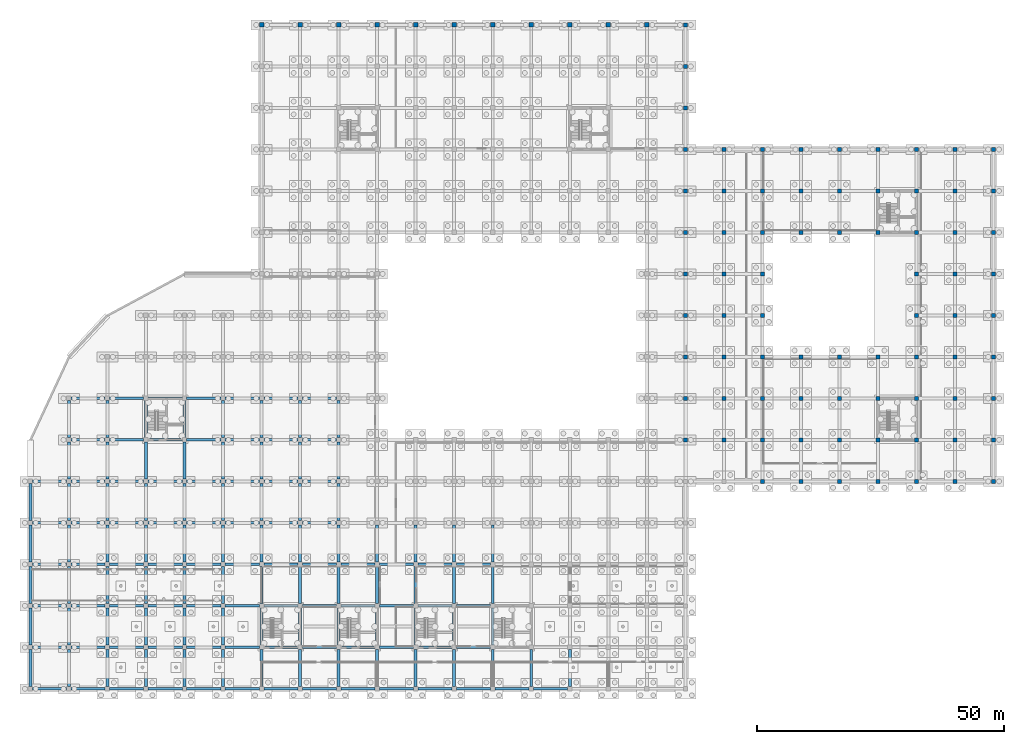
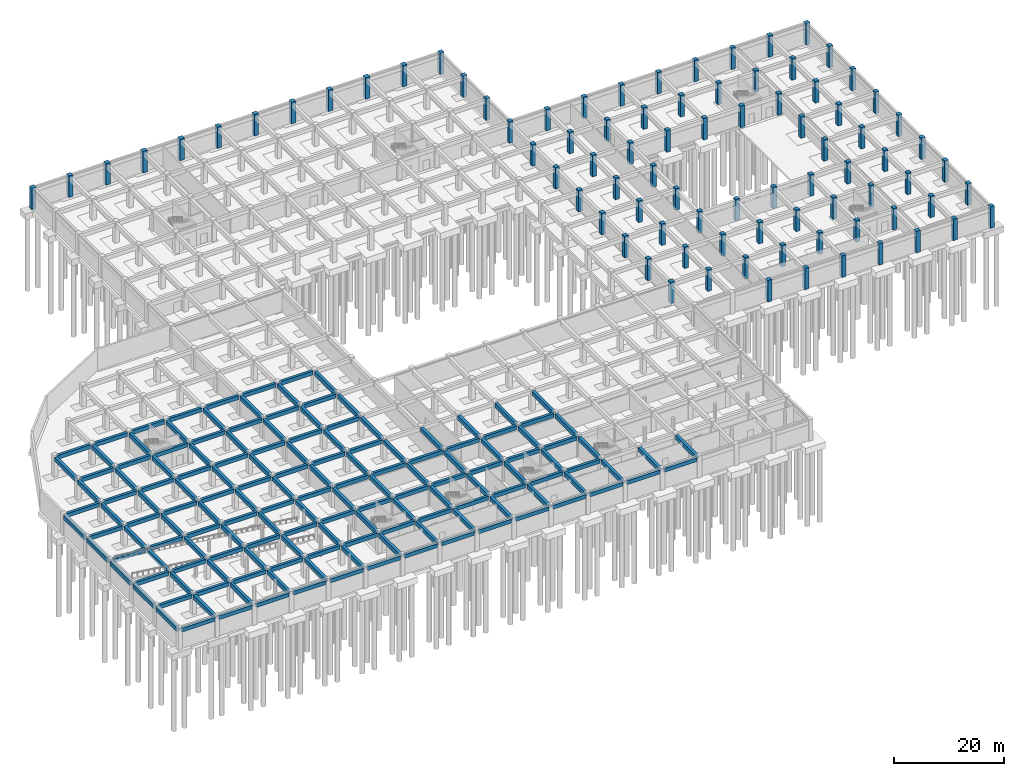
# One storey, part 13 of 31: 159 beams, 87 columns.
"""IFC4 building model written with IfcOpenShell, lengths in metres."""

from ifc_helpers import new_model, si_unit, direction, frame, origin, origin_2d, place, context, subcontext, project, spatial, rectangle, extrude, material, material_profile, profile_set, type_object, element, save


model = new_model("IFC4")

# Units and contexts
model_context = context("Model", 3, precision=1e-05, world=origin(), true_north=direction((0.0, 1.0)))
body_context = subcontext(model_context, "Body", "Model", "MODEL_VIEW")
ifc_project = project(units=[si_unit("LENGTHUNIT", "METRE"), si_unit("AREAUNIT", "SQUARE_METRE"), si_unit("VOLUMEUNIT", "CUBIC_METRE"), si_unit("PLANEANGLEUNIT", "RADIAN"), si_unit("MASSUNIT", "GRAM", prefix="KILO")], contexts=[model_context])

# Site, building, storey
site_placement = place(None, origin())
site = spatial("IfcSite", under=ifc_project, at=site_placement, CompositionType="ELEMENT")
building_placement = place(site_placement, origin())
building = spatial("IfcBuilding", under=site, at=building_placement, Name="Zizhar Promenade General Hospital", CompositionType="ELEMENT")
storey_placement = place(building_placement, frame((0.0, 0.0, -4.800048828125)))
storey = spatial("IfcBuildingStorey", under=building, at=storey_placement, Name="B1", CompositionType="ELEMENT", Elevation=-4.800048828125)

# Columns
ifc_material_1 = material(Name="Concrete C40/50", Category="concrete")
ifc_material_profile_1 = material_profile(ifc_material_1, rectangle(XDim=0.85009765625, YDim=0.85009765625, at=origin_2d()))
ifc_profile_set_1 = profile_set([ifc_material_profile_1], Name="Concrete C40/50")
column_type_1 = type_object("IfcColumnType", Name="COL-RC-850", PredefinedType="COLUMN", material=ifc_profile_set_1)
for number, where, z_axis, x_axis, name in (
    (1, (132.60009765625, 50.39990234375, 0.0), (0.0, 0.0, 1.0), (1.0, 0.0, 0.0), "Column 18-G (B1)"),
    (2, (132.60009765625, 58.800048828125, 0.0), (0.0, 0.0, 1.0), (1.0, 0.0, 0.0), "Column 18-H (B1)"),
    (3, (132.60009765625, 67.199951171875, 0.0), (0.0, 0.0, 1.0), (1.0, 0.0, 0.0), "Column 18-J (B1)"),
    (4, (132.60009765625, 75.60009765625, 0.0), (0.0, 0.0, 1.0), (1.0, 0.0, 0.0), "Column 18-K (B1)"),
    (5, (132.60009765625, 84.0, 0.0), (0.0, 0.0, 1.0), (1.0, 0.0, 0.0), "Column 18-L (B1)"),
    (6, (132.60009765625, 92.39990234375, 0.0), (0.0, 0.0, 1.0), (1.0, 0.0, 0.0), "Column 18-M (B1)"),
    (7, (132.60009765625, 100.800048828125, 0.0), (0.0, 0.0, 1.0), (1.0, 0.0, 0.0), "Column 18-N (B1)"),
    (8, (132.60009765625, 109.199951171875, 0.0), (0.0, 0.0, 1.0), (1.0, 0.0, 0.0), "Column 18-P (B1)"),
    (9, (132.60009765625, 117.60009765625, 0.0), (0.0, 0.0, 1.0), (1.0, 0.0, 0.0), "Column 18-Q (B1)"),
    (10, (132.60009765625, 126.0, 0.0), (0.0, 0.0, 1.0), (1.0, 0.0, 0.0), "Column 18-R (B1)"),
    (11, (132.60009765625, 134.39990234375, 0.0), (0.0, 0.0, 1.0), (1.0, 0.0, 0.0), "Column 18-S (B1)"),
    (12, (140.39990234375, 50.39990234375, 0.0), (0.0, 0.0, 1.0), (1.0, 0.0, 0.0), "Column 19-G (B1)"),
    (13, (140.39990234375, 58.800048828125, 0.0), (0.0, 0.0, 1.0), (1.0, 0.0, 0.0), "Column 19-H (B1)"),
    (14, (140.39990234375, 67.199951171875, 0.0), (0.0, 0.0, 1.0), (1.0, 0.0, 0.0), "Column 19-J (B1)"),
    (15, (140.39990234375, 75.60009765625, 0.0), (0.0, 0.0, 1.0), (1.0, 0.0, 0.0), "Column 19-K (B1)"),
    (16, (140.39990234375, 84.0, 0.0), (0.0, 0.0, 1.0), (1.0, 0.0, 0.0), "Column 19-L (B1)"),
    (17, (140.39990234375, 92.39990234375, 0.0), (0.0, 0.0, 1.0), (1.0, 0.0, 0.0), "Column 19-M (B1)"),
    (18, (140.39990234375, 100.800048828125, 0.0), (0.0, 0.0, 1.0), (1.0, 0.0, 0.0), "Column 19-N (B1)"),
    (19, (140.39990234375, 109.199951171875, 0.0), (0.0, 0.0, 1.0), (1.0, 0.0, 0.0), "Column 19-P (B1)"),
    (20, (148.199951171875, 42.0, 0.0), (0.0, 0.0, 1.0), (1.0, 0.0, 0.0), "Column 20-F (B1)"),
    (21, (148.199951171875, 50.39990234375, 0.0), (0.0, 0.0, 1.0), (1.0, 0.0, 0.0), "Column 20-G (B1)"),
    (22, (148.199951171875, 58.800048828125, 0.0), (0.0, 0.0, 1.0), (1.0, 0.0, 0.0), "Column 20-H (B1)"),
    (23, (148.199951171875, 67.199951171875, 0.0), (0.0, 0.0, 1.0), (1.0, 0.0, 0.0), "Column 20-J (B1)"),
    (24, (148.199951171875, 75.60009765625, 0.0), (0.0, 0.0, 1.0), (1.0, 0.0, 0.0), "Column 20-K (B1)"),
    (25, (148.199951171875, 84.0, 0.0), (0.0, 0.0, 1.0), (1.0, 0.0, 0.0), "Column 20-L (B1)"),
    (26, (148.199951171875, 92.39990234375, 0.0), (0.0, 0.0, 1.0), (1.0, 0.0, 0.0), "Column 20-M (B1)"),
    (27, (148.199951171875, 100.800048828125, 0.0), (0.0, 0.0, 1.0), (1.0, 0.0, 0.0), "Column 20-N (B1)"),
    (28, (148.199951171875, 109.199951171875, 0.0), (0.0, 0.0, 1.0), (1.0, 0.0, 0.0), "Column 20-P (B1)"),
    (29, (156.0, 42.0, 0.0), (0.0, 0.0, 1.0), (1.0, 0.0, 0.0), "Column 21-F (B1)"),
    (30, (156.0, 50.39990234375, 0.0), (0.0, 0.0, 1.0), (1.0, 0.0, 0.0), "Column 21-G (B1)"),
    (31, (156.0, 58.800048828125, 0.0), (0.0, 0.0, 1.0), (1.0, 0.0, 0.0), "Column 21-H (B1)"),
    (32, (156.0, 67.199951171875, 0.0), (0.0, 0.0, 1.0), (1.0, 0.0, 0.0), "Column 21-J (B1)"),
    (33, (156.0, 92.39990234375, 0.0), (0.0, 0.0, 1.0), (1.0, 0.0, 0.0), "Column 21-M (B1)"),
    (34, (156.0, 100.800048828125, 0.0), (0.0, 0.0, 1.0), (1.0, 0.0, 0.0), "Column 21-N (B1)"),
    (35, (156.0, 109.199951171875, 0.0), (0.0, 0.0, 1.0), (1.0, 0.0, 0.0), "Column 21-P (B1)"),
    (36, (163.800048828125, 42.0, 0.0), (0.0, 0.0, 1.0), (1.0, 0.0, 0.0), "Column 22-F (B1)"),
    (37, (163.800048828125, 50.39990234375, 0.0), (0.0, 0.0, 1.0), (1.0, 0.0, 0.0), "Column 22-G (B1)"),
    (38, (163.800048828125, 58.800048828125, 0.0), (0.0, 0.0, 1.0), (1.0, 0.0, 0.0), "Column 22-H (B1)"),
    (39, (163.800048828125, 67.199951171875, 0.0), (0.0, 0.0, 1.0), (1.0, 0.0, 0.0), "Column 22-J (B1)"),
    (40, (163.800048828125, 92.39990234375, 0.0), (0.0, 0.0, 1.0), (1.0, 0.0, 0.0), "Column 22-M (B1)"),
    (41, (163.800048828125, 100.800048828125, 0.0), (0.0, 0.0, 1.0), (1.0, 0.0, 0.0), "Column 22-N (B1)"),
    (42, (163.800048828125, 109.199951171875, 0.0), (0.0, 0.0, 1.0), (1.0, 0.0, 0.0), "Column 22-P (B1)"),
    (43, (171.60009765625, 42.0, 0.0), (0.0, 0.0, 1.0), (1.0, 0.0, 0.0), "Column 23-F (B1)"),
    (44, (171.60009765625, 50.39990234375, 0.0), (0.0, 0.0, 1.0), (1.0, 0.0, 0.0), "Column 23-G (B1)"),
    (45, (171.60009765625, 58.800048828125, 0.0), (0.0, 0.0, 1.0), (1.0, 0.0, 0.0), "Column 23-H (B1)"),
    (46, (171.60009765625, 67.199951171875, 0.0), (0.0, 0.0, 1.0), (1.0, 0.0, 0.0), "Column 23-J (B1)"),
    (47, (171.60009765625, 92.39990234375, 0.0), (0.0, 0.0, 1.0), (1.0, 0.0, 0.0), "Column 23-M (B1)"),
    (48, (171.60009765625, 100.800048828125, 0.0), (0.0, 0.0, 1.0), (1.0, 0.0, 0.0), "Column 23-N (B1)"),
    (49, (171.60009765625, 109.199951171875, 0.0), (0.0, 0.0, 1.0), (1.0, 0.0, 0.0), "Column 23-P (B1)"),
    (50, (179.39990234375, 42.0, 0.0), (0.0, 0.0, 1.0), (1.0, 0.0, 0.0), "Column 24-F (B1)"),
    (51, (179.39990234375, 50.39990234375, 0.0), (0.0, 0.0, 1.0), (1.0, 0.0, 0.0), "Column 24-G (B1)"),
    (52, (179.39990234375, 58.800048828125, 0.0), (0.0, 0.0, 1.0), (1.0, 0.0, 0.0), "Column 24-H (B1)"),
    (53, (179.39990234375, 67.199951171875, 0.0), (0.0, 0.0, 1.0), (1.0, 0.0, 0.0), "Column 24-J (B1)"),
    (54, (179.39990234375, 75.60009765625, 0.0), (0.0, 0.0, 1.0), (1.0, 0.0, 0.0), "Column 24-K (B1)"),
    (55, (179.39990234375, 84.0, 0.0), (0.0, 0.0, 1.0), (1.0, 0.0, 0.0), "Column 24-L (B1)"),
    (56, (179.39990234375, 92.39990234375, 0.0), (0.0, 0.0, 1.0), (1.0, 0.0, 0.0), "Column 24-M (B1)"),
    (57, (179.39990234375, 100.800048828125, 0.0), (0.0, 0.0, 1.0), (1.0, 0.0, 0.0), "Column 24-N (B1)"),
    (58, (179.39990234375, 109.199951171875, 0.0), (0.0, 0.0, 1.0), (1.0, 0.0, 0.0), "Column 24-P (B1)"),
    (59, (187.199951171875, 42.0, 0.0), (0.0, 0.0, 1.0), (1.0, 0.0, 0.0), "Column 25-F (B1)"),
    (60, (187.199951171875, 50.39990234375, 0.0), (0.0, 0.0, 1.0), (1.0, 0.0, 0.0), "Column 25-G (B1)"),
    (61, (187.199951171875, 58.800048828125, 0.0), (0.0, 0.0, 1.0), (1.0, 0.0, 0.0), "Column 25-H (B1)"),
    (62, (187.199951171875, 67.199951171875, 0.0), (0.0, 0.0, 1.0), (1.0, 0.0, 0.0), "Column 25-J (B1)"),
    (63, (187.199951171875, 75.60009765625, 0.0), (0.0, 0.0, 1.0), (1.0, 0.0, 0.0), "Column 25-K (B1)"),
    (64, (187.199951171875, 84.0, 0.0), (0.0, 0.0, 1.0), (1.0, 0.0, 0.0), "Column 25-L (B1)"),
    (65, (187.199951171875, 92.39990234375, 0.0), (0.0, 0.0, 1.0), (1.0, 0.0, 0.0), "Column 25-M (B1)"),
    (66, (187.199951171875, 100.800048828125, 0.0), (0.0, 0.0, 1.0), (1.0, 0.0, 0.0), "Column 25-N (B1)"),
    (67, (187.199951171875, 109.199951171875, 0.0), (0.0, 0.0, 1.0), (1.0, 0.0, 0.0), "Column 25-P (B1)"),
    (68, (195.0, 42.0, 0.0), (0.0, 0.0, 1.0), (1.0, 0.0, 0.0), "Column 26-F (B1)"),
    (69, (195.0, 50.39990234375, 0.0), (0.0, 0.0, 1.0), (1.0, 0.0, 0.0), "Column 26-G (B1)"),
    (70, (195.0, 58.800048828125, 0.0), (0.0, 0.0, 1.0), (1.0, 0.0, 0.0), "Column 26-H (B1)"),
    (71, (195.0, 67.199951171875, 0.0), (0.0, 0.0, 1.0), (1.0, 0.0, 0.0), "Column 26-J (B1)"),
    (72, (195.0, 75.60009765625, 0.0), (0.0, 0.0, 1.0), (1.0, 0.0, 0.0), "Column 26-K (B1)"),
    (73, (195.0, 84.0, 0.0), (0.0, 0.0, 1.0), (1.0, 0.0, 0.0), "Column 26-L (B1)"),
    (74, (195.0, 92.39990234375, 0.0), (0.0, 0.0, 1.0), (1.0, 0.0, 0.0), "Column 26-M (B1)"),
    (75, (195.0, 100.800048828125, 0.0), (0.0, 0.0, 1.0), (1.0, 0.0, 0.0), "Column 26-N (B1)"),
    (76, (195.0, 109.199951171875, 0.0), (0.0, 0.0, 1.0), (1.0, 0.0, 0.0), "Column 26-P (B1)"),
):
    element("IfcColumn", number, at=place(storey_placement, frame(where, z_axis=z_axis, x_axis=x_axis)), inside=storey, type_object=column_type_1, Name=name, PredefinedType="COLUMN", context=body_context, shape_type="SweptSolid", body=[
        extrude(rectangle(XDim=0.85009765625, YDim=0.85009765625, at=origin_2d()), origin(), (0.0, 0.0, 1.0), 4.800048828125),
    ])
ifc_material_2 = material(Name="Concrete C40/50", Category="concrete")
ifc_material_profile_2 = material_profile(ifc_material_2, rectangle(XDim=0.89990234375, YDim=0.89990234375, at=origin_2d()))
ifc_profile_set_2 = profile_set([ifc_material_profile_2], Name="Concrete C40/50")
column_type_2 = type_object("IfcColumnType", Name="COL-RC-900", PredefinedType="COLUMN", material=ifc_profile_set_2)
for number, where, z_axis, x_axis, name in (
    (77, (46.800048828125, 134.39990234375, 0.0), (0.0, 0.0, 1.0), (1.0, 0.0, 0.0), "Column 7-S (B1)"),
    (78, (54.60009765625, 134.39990234375, 0.0), (0.0, 0.0, 1.0), (1.0, 0.0, 0.0), "Column 8-S (B1)"),
    (79, (62.39990234375, 134.39990234375, 0.0), (0.0, 0.0, 1.0), (1.0, 0.0, 0.0), "Column 9-S (B1)"),
    (80, (70.199951171875, 134.39990234375, 0.0), (0.0, 0.0, 1.0), (1.0, 0.0, 0.0), "Column 10-S (B1)"),
    (81, (78.0, 134.39990234375, 0.0), (0.0, 0.0, 1.0), (1.0, 0.0, 0.0), "Column 11-S (B1)"),
    (82, (85.800048828125, 134.39990234375, 0.0), (0.0, 0.0, 1.0), (1.0, 0.0, 0.0), "Column 12-S (B1)"),
    (83, (93.60009765625, 134.39990234375, 0.0), (0.0, 0.0, 1.0), (1.0, 0.0, 0.0), "Column 13-S (B1)"),
    (84, (101.39990234375, 134.39990234375, 0.0), (0.0, 0.0, 1.0), (1.0, 0.0, 0.0), "Column 14-S (B1)"),
    (85, (109.199951171875, 134.39990234375, 0.0), (0.0, 0.0, 1.0), (1.0, 0.0, 0.0), "Column 15-S (B1)"),
    (86, (117.0, 134.39990234375, 0.0), (0.0, 0.0, 1.0), (1.0, 0.0, 0.0), "Column 16-S (B1)"),
    (87, (124.800048828125, 134.39990234375, 0.0), (0.0, 0.0, 1.0), (1.0, 0.0, 0.0), "Column 17-S (B1)"),
):
    element("IfcColumn", number, at=place(storey_placement, frame(where, z_axis=z_axis, x_axis=x_axis)), inside=storey, type_object=column_type_2, Name=name, PredefinedType="COLUMN", context=body_context, shape_type="SweptSolid", body=[
        extrude(rectangle(XDim=0.89990234375, YDim=0.89990234375, at=origin_2d()), origin(), (0.0, 0.0, 1.0), 4.800048828125),
    ])

# Beams
ifc_material_3 = material(Name="Concrete C35/45", Category="concrete")
ifc_material_profile_3 = material_profile(ifc_material_3, rectangle(XDim=0.550048828125, YDim=0.85009765625, at=origin_2d()))
ifc_profile_set_3 = profile_set([ifc_material_profile_3], Name="Concrete C35/45")
beam_type_1 = type_object("IfcBeamType", Name="BM-RC-550x850", PredefinedType="BEAM", material=ifc_profile_set_3)
for number, where, z_axis, x_axis, name in (
    (88, (0.449951171875, 0.0, 4.045166015625), (1.0, 0.0, 0.0), (0.0, 1.0, 0.0), "Grid Beam X B1 (0-0)"),
    (89, (0.449951171875, 8.39990234375, 4.045166015625), (1.0, 0.0, 0.0), (0.0, 1.0, 0.0), "Grid Beam X B1 (0-1)"),
    (90, (0.449951171875, 16.800048828125, 4.045166015625), (1.0, 0.0, 0.0), (0.0, 1.0, 0.0), "Grid Beam X B1 (0-2)"),
    (91, (0.449951171875, 25.199951171875, 4.045166015625), (1.0, 0.0, 0.0), (0.0, 1.0, 0.0), "Grid Beam X B1 (0-3)"),
    (92, (0.449951171875, 33.60009765625, 4.045166015625), (1.0, 0.0, 0.0), (0.0, 1.0, 0.0), "Grid Beam X B1 (0-4)"),
    (93, (0.449951171875, 42.0, 4.045166015625), (1.0, 0.0, 0.0), (0.0, 1.0, 0.0), "Grid Beam X B1 (0-5)"),
):
    element("IfcBeam", number, at=place(storey_placement, frame(where, z_axis=z_axis, x_axis=x_axis)), inside=storey, type_object=beam_type_1, Name=name, PredefinedType="BEAM", context=body_context, shape_type="SweptSolid", body=[
        extrude(rectangle(XDim=0.550048828125, YDim=0.85009765625, at=origin_2d()), origin(), (0.0, 0.0, 1.0), 6.900146484375),
    ])
for number, where, z_axis, x_axis, name in (
    (94, (8.25, 0.0, 4.045166015625), (1.0, 0.0, 0.0), (0.0, 1.0, 0.0), "Grid Beam X B1 (1-0)"),
    (95, (8.25, 8.39990234375, 4.045166015625), (1.0, 0.0, 0.0), (0.0, 1.0, 0.0), "Grid Beam X B1 (1-1)"),
    (96, (8.25, 16.800048828125, 4.045166015625), (1.0, 0.0, 0.0), (0.0, 1.0, 0.0), "Grid Beam X B1 (1-2)"),
    (97, (8.25, 25.199951171875, 4.045166015625), (1.0, 0.0, 0.0), (0.0, 1.0, 0.0), "Grid Beam X B1 (1-3)"),
    (98, (8.25, 33.60009765625, 4.045166015625), (1.0, 0.0, 0.0), (0.0, 1.0, 0.0), "Grid Beam X B1 (1-4)"),
    (99, (8.25, 42.0, 4.045166015625), (1.0, 0.0, 0.0), (0.0, 1.0, 0.0), "Grid Beam X B1 (1-5)"),
    (100, (8.25, 50.39990234375, 4.045166015625), (1.0, 0.0, 0.0), (0.0, 1.0, 0.0), "Grid Beam X B1 (1-6)"),
    (101, (8.25, 58.800048828125, 4.045166015625), (1.0, 0.0, 0.0), (0.0, 1.0, 0.0), "Grid Beam X B1 (1-7)"),
    (102, (16.050048828125, 0.0, 4.045166015625), (1.0, 0.0, 0.0), (0.0, 1.0, 0.0), "Grid Beam X B1 (2-0)"),
    (103, (16.050048828125, 8.39990234375, 4.045166015625), (1.0, 0.0, 0.0), (0.0, 1.0, 0.0), "Grid Beam X B1 (2-1)"),
    (104, (16.050048828125, 16.800048828125, 4.045166015625), (1.0, 0.0, 0.0), (0.0, 1.0, 0.0), "Grid Beam X B1 (2-2)"),
    (105, (16.050048828125, 25.199951171875, 4.045166015625), (1.0, 0.0, 0.0), (0.0, 1.0, 0.0), "Grid Beam X B1 (2-3)"),
    (106, (16.050048828125, 33.60009765625, 4.045166015625), (1.0, 0.0, 0.0), (0.0, 1.0, 0.0), "Grid Beam X B1 (2-4)"),
    (107, (16.050048828125, 42.0, 4.045166015625), (1.0, 0.0, 0.0), (0.0, 1.0, 0.0), "Grid Beam X B1 (2-5)"),
    (108, (16.050048828125, 50.39990234375, 4.045166015625), (1.0, 0.0, 0.0), (0.0, 1.0, 0.0), "Grid Beam X B1 (2-6)"),
    (109, (16.050048828125, 58.800048828125, 4.045166015625), (1.0, 0.0, 0.0), (0.0, 1.0, 0.0), "Grid Beam X B1 (2-7)"),
    (110, (23.85009765625, 0.0, 4.045166015625), (1.0, 0.0, 0.0), (0.0, 1.0, 0.0), "Grid Beam X B1 (3-0)"),
    (111, (23.85009765625, 8.39990234375, 4.045166015625), (1.0, 0.0, 0.0), (0.0, 1.0, 0.0), "Grid Beam X B1 (3-1)"),
    (112, (23.85009765625, 16.800048828125, 4.045166015625), (1.0, 0.0, 0.0), (0.0, 1.0, 0.0), "Grid Beam X B1 (3-2)"),
    (113, (23.85009765625, 25.199951171875, 4.045166015625), (1.0, 0.0, 0.0), (0.0, 1.0, 0.0), "Grid Beam X B1 (3-3)"),
    (114, (23.85009765625, 33.60009765625, 4.045166015625), (1.0, 0.0, 0.0), (0.0, 1.0, 0.0), "Grid Beam X B1 (3-4)"),
    (115, (23.85009765625, 42.0, 4.045166015625), (1.0, 0.0, 0.0), (0.0, 1.0, 0.0), "Grid Beam X B1 (3-5)"),
    (116, (23.85009765625, 50.39990234375, 4.045166015625), (1.0, 0.0, 0.0), (0.0, 1.0, 0.0), "Grid Beam X B1 (3-6)"),
    (117, (23.85009765625, 58.800048828125, 4.045166015625), (1.0, 0.0, 0.0), (0.0, 1.0, 0.0), "Grid Beam X B1 (3-7)"),
):
    element("IfcBeam", number, at=place(storey_placement, frame(where, z_axis=z_axis, x_axis=x_axis)), inside=storey, type_object=beam_type_1, Name=name, PredefinedType="BEAM", context=body_context, shape_type="SweptSolid", body=[
        extrude(rectangle(XDim=0.550048828125, YDim=0.85009765625, at=origin_2d()), origin(), (0.0, 0.0, 1.0), 6.89990234375),
    ])
for number, where, z_axis, x_axis, name in (
    (118, (31.64990234375, 0.0, 4.045166015625), (1.0, 0.0, 0.0), (0.0, 1.0, 0.0), "Grid Beam X B1 (4-0)"),
    (119, (31.64990234375, 8.39990234375, 4.045166015625), (1.0, 0.0, 0.0), (0.0, 1.0, 0.0), "Grid Beam X B1 (4-1)"),
    (120, (31.64990234375, 16.800048828125, 4.045166015625), (1.0, 0.0, 0.0), (0.0, 1.0, 0.0), "Grid Beam X B1 (4-2)"),
    (121, (31.64990234375, 25.199951171875, 4.045166015625), (1.0, 0.0, 0.0), (0.0, 1.0, 0.0), "Grid Beam X B1 (4-3)"),
    (122, (31.64990234375, 33.60009765625, 4.045166015625), (1.0, 0.0, 0.0), (0.0, 1.0, 0.0), "Grid Beam X B1 (4-4)"),
    (123, (31.64990234375, 42.0, 4.045166015625), (1.0, 0.0, 0.0), (0.0, 1.0, 0.0), "Grid Beam X B1 (4-5)"),
    (124, (31.64990234375, 50.39990234375, 4.045166015625), (1.0, 0.0, 0.0), (0.0, 1.0, 0.0), "Grid Beam X B1 (4-6)"),
    (125, (31.64990234375, 58.800048828125, 4.045166015625), (1.0, 0.0, 0.0), (0.0, 1.0, 0.0), "Grid Beam X B1 (4-7)"),
    (126, (39.449951171875, 0.0, 4.045166015625), (1.0, 0.0, 0.0), (0.0, 1.0, 0.0), "Grid Beam X B1 (5-0)"),
    (127, (39.449951171875, 8.39990234375, 4.045166015625), (1.0, 0.0, 0.0), (0.0, 1.0, 0.0), "Grid Beam X B1 (5-1)"),
    (128, (39.449951171875, 16.800048828125, 4.045166015625), (1.0, 0.0, 0.0), (0.0, 1.0, 0.0), "Grid Beam X B1 (5-2)"),
    (129, (39.449951171875, 25.199951171875, 4.045166015625), (1.0, 0.0, 0.0), (0.0, 1.0, 0.0), "Grid Beam X B1 (5-3)"),
    (130, (39.449951171875, 33.60009765625, 4.045166015625), (1.0, 0.0, 0.0), (0.0, 1.0, 0.0), "Grid Beam X B1 (5-4)"),
    (131, (39.449951171875, 42.0, 4.045166015625), (1.0, 0.0, 0.0), (0.0, 1.0, 0.0), "Grid Beam X B1 (5-5)"),
    (132, (39.449951171875, 50.39990234375, 4.045166015625), (1.0, 0.0, 0.0), (0.0, 1.0, 0.0), "Grid Beam X B1 (5-6)"),
    (133, (39.449951171875, 58.800048828125, 4.045166015625), (1.0, 0.0, 0.0), (0.0, 1.0, 0.0), "Grid Beam X B1 (5-7)"),
):
    element("IfcBeam", number, at=place(storey_placement, frame(where, z_axis=z_axis, x_axis=x_axis)), inside=storey, type_object=beam_type_1, Name=name, PredefinedType="BEAM", context=body_context, shape_type="SweptSolid", body=[
        extrude(rectangle(XDim=0.550048828125, YDim=0.85009765625, at=origin_2d()), origin(), (0.0, 0.0, 1.0), 6.900146484375),
    ])
for number, where, z_axis, x_axis, name in (
    (134, (47.25, 0.0, 4.045166015625), (1.0, 0.0, 0.0), (0.0, 1.0, 0.0), "Grid Beam X B1 (6-0)"),
    (135, (47.25, 8.39990234375, 4.045166015625), (1.0, 0.0, 0.0), (0.0, 1.0, 0.0), "Grid Beam X B1 (6-1)"),
    (136, (47.25, 16.800048828125, 4.045166015625), (1.0, 0.0, 0.0), (0.0, 1.0, 0.0), "Grid Beam X B1 (6-2)"),
    (137, (47.25, 25.199951171875, 4.045166015625), (1.0, 0.0, 0.0), (0.0, 1.0, 0.0), "Grid Beam X B1 (6-3)"),
    (138, (47.25, 33.60009765625, 4.045166015625), (1.0, 0.0, 0.0), (0.0, 1.0, 0.0), "Grid Beam X B1 (6-4)"),
    (139, (47.25, 42.0, 4.045166015625), (1.0, 0.0, 0.0), (0.0, 1.0, 0.0), "Grid Beam X B1 (6-5)"),
    (140, (47.25, 50.39990234375, 4.045166015625), (1.0, 0.0, 0.0), (0.0, 1.0, 0.0), "Grid Beam X B1 (6-6)"),
    (141, (47.25, 58.800048828125, 4.045166015625), (1.0, 0.0, 0.0), (0.0, 1.0, 0.0), "Grid Beam X B1 (6-7)"),
    (142, (55.050048828125, 0.0, 4.045166015625), (1.0, 0.0, 0.0), (0.0, 1.0, 0.0), "Grid Beam X B1 (7-0)"),
    (143, (55.050048828125, 8.39990234375, 4.045166015625), (1.0, 0.0, 0.0), (0.0, 1.0, 0.0), "Grid Beam X B1 (7-1)"),
    (144, (55.050048828125, 16.800048828125, 4.045166015625), (1.0, 0.0, 0.0), (0.0, 1.0, 0.0), "Grid Beam X B1 (7-2)"),
    (145, (55.050048828125, 25.199951171875, 4.045166015625), (1.0, 0.0, 0.0), (0.0, 1.0, 0.0), "Grid Beam X B1 (7-3)"),
    (146, (55.050048828125, 33.60009765625, 4.045166015625), (1.0, 0.0, 0.0), (0.0, 1.0, 0.0), "Grid Beam X B1 (7-4)"),
    (147, (55.050048828125, 42.0, 4.045166015625), (1.0, 0.0, 0.0), (0.0, 1.0, 0.0), "Grid Beam X B1 (7-5)"),
    (148, (55.050048828125, 50.39990234375, 4.045166015625), (1.0, 0.0, 0.0), (0.0, 1.0, 0.0), "Grid Beam X B1 (7-6)"),
    (149, (55.050048828125, 58.800048828125, 4.045166015625), (1.0, 0.0, 0.0), (0.0, 1.0, 0.0), "Grid Beam X B1 (7-7)"),
    (150, (62.85009765625, 0.0, 4.045166015625), (1.0, 0.0, 0.0), (0.0, 1.0, 0.0), "Grid Beam X B1 (8-0)"),
    (151, (62.85009765625, 8.39990234375, 4.045166015625), (1.0, 0.0, 0.0), (0.0, 1.0, 0.0), "Grid Beam X B1 (8-1)"),
    (152, (62.85009765625, 16.800048828125, 4.045166015625), (1.0, 0.0, 0.0), (0.0, 1.0, 0.0), "Grid Beam X B1 (8-2)"),
    (153, (62.85009765625, 25.199951171875, 4.045166015625), (1.0, 0.0, 0.0), (0.0, 1.0, 0.0), "Grid Beam X B1 (8-3)"),
):
    element("IfcBeam", number, at=place(storey_placement, frame(where, z_axis=z_axis, x_axis=x_axis)), inside=storey, type_object=beam_type_1, Name=name, PredefinedType="BEAM", context=body_context, shape_type="SweptSolid", body=[
        extrude(rectangle(XDim=0.550048828125, YDim=0.85009765625, at=origin_2d()), origin(), (0.0, 0.0, 1.0), 6.89990234375),
    ])
for number, where, z_axis, x_axis, name in (
    (154, (70.64990234375, 0.0, 4.045166015625), (1.0, 0.0, 0.0), (0.0, 1.0, 0.0), "Grid Beam X B1 (9-0)"),
    (155, (70.64990234375, 8.39990234375, 4.045166015625), (1.0, 0.0, 0.0), (0.0, 1.0, 0.0), "Grid Beam X B1 (9-1)"),
    (156, (70.64990234375, 16.800048828125, 4.045166015625), (1.0, 0.0, 0.0), (0.0, 1.0, 0.0), "Grid Beam X B1 (9-2)"),
    (157, (70.64990234375, 25.199951171875, 4.045166015625), (1.0, 0.0, 0.0), (0.0, 1.0, 0.0), "Grid Beam X B1 (9-3)"),
    (158, (78.449951171875, 0.0, 4.045166015625), (1.0, 0.0, 0.0), (0.0, 1.0, 0.0), "Grid Beam X B1 (10-0)"),
    (159, (78.449951171875, 8.39990234375, 4.045166015625), (1.0, 0.0, 0.0), (0.0, 1.0, 0.0), "Grid Beam X B1 (10-1)"),
    (160, (78.449951171875, 16.800048828125, 4.045166015625), (1.0, 0.0, 0.0), (0.0, 1.0, 0.0), "Grid Beam X B1 (10-2)"),
    (161, (78.449951171875, 25.199951171875, 4.045166015625), (1.0, 0.0, 0.0), (0.0, 1.0, 0.0), "Grid Beam X B1 (10-3)"),
):
    element("IfcBeam", number, at=place(storey_placement, frame(where, z_axis=z_axis, x_axis=x_axis)), inside=storey, type_object=beam_type_1, Name=name, PredefinedType="BEAM", context=body_context, shape_type="SweptSolid", body=[
        extrude(rectangle(XDim=0.550048828125, YDim=0.85009765625, at=origin_2d()), origin(), (0.0, 0.0, 1.0), 6.900146484375),
    ])
for number, where, z_axis, x_axis, name in (
    (162, (86.25, 0.0, 4.045166015625), (1.0, 0.0, 0.0), (0.0, 1.0, 0.0), "Grid Beam X B1 (11-0)"),
    (163, (86.25, 8.39990234375, 4.045166015625), (1.0, 0.0, 0.0), (0.0, 1.0, 0.0), "Grid Beam X B1 (11-1)"),
    (164, (86.25, 16.800048828125, 4.045166015625), (1.0, 0.0, 0.0), (0.0, 1.0, 0.0), "Grid Beam X B1 (11-2)"),
    (165, (86.25, 25.199951171875, 4.045166015625), (1.0, 0.0, 0.0), (0.0, 1.0, 0.0), "Grid Beam X B1 (11-3)"),
    (166, (94.050048828125, 0.0, 4.045166015625), (1.0, 0.0, 0.0), (0.0, 1.0, 0.0), "Grid Beam X B1 (12-0)"),
    (167, (101.85009765625, 0.0, 4.045166015625), (1.0, 0.0, 0.0), (0.0, 1.0, 0.0), "Grid Beam X B1 (13-0)"),
):
    element("IfcBeam", number, at=place(storey_placement, frame(where, z_axis=z_axis, x_axis=x_axis)), inside=storey, type_object=beam_type_1, Name=name, PredefinedType="BEAM", context=body_context, shape_type="SweptSolid", body=[
        extrude(rectangle(XDim=0.550048828125, YDim=0.85009765625, at=origin_2d()), origin(), (0.0, 0.0, 1.0), 6.89990234375),
    ])
ifc_material_4 = material(Name="Concrete C35/45", Category="concrete")
ifc_material_profile_4 = material_profile(ifc_material_4, rectangle(XDim=0.60009765625, YDim=0.949951171875, at=origin_2d()))
ifc_profile_set_4 = profile_set([ifc_material_profile_4], Name="Concrete C35/45")
beam_type_2 = type_object("IfcBeamType", Name="BM-RC-600x950", PredefinedType="BEAM", material=ifc_profile_set_4)
for number, where, z_axis, x_axis, name in (
    (168, (0.0, 0.449951171875, 3.9951171875), (0.0, 1.0, 0.0), (-1.0, 0.0, 0.0), "Grid Beam Y B1 (0-0)"),
    (169, (0.0, 8.85009765625, 3.9951171875), (0.0, 1.0, 0.0), (-1.0, 0.0, 0.0), "Grid Beam Y B1 (0-1)"),
    (170, (0.0, 17.25, 3.9951171875), (0.0, 1.0, 0.0), (-1.0, 0.0, 0.0), "Grid Beam Y B1 (0-2)"),
    (171, (0.0, 25.64990234375, 3.9951171875), (0.0, 1.0, 0.0), (-1.0, 0.0, 0.0), "Grid Beam Y B1 (0-3)"),
    (172, (0.0, 34.050048828125, 3.9951171875), (0.0, 1.0, 0.0), (-1.0, 0.0, 0.0), "Grid Beam Y B1 (0-4)"),
    (173, (7.800048828125, 0.449951171875, 3.9951171875), (0.0, 1.0, 0.0), (-1.0, 0.0, 0.0), "Grid Beam Y B1 (1-0)"),
    (174, (7.800048828125, 8.85009765625, 3.9951171875), (0.0, 1.0, 0.0), (-1.0, 0.0, 0.0), "Grid Beam Y B1 (1-1)"),
    (175, (7.800048828125, 17.25, 3.9951171875), (0.0, 1.0, 0.0), (-1.0, 0.0, 0.0), "Grid Beam Y B1 (1-2)"),
    (176, (7.800048828125, 25.64990234375, 3.9951171875), (0.0, 1.0, 0.0), (-1.0, 0.0, 0.0), "Grid Beam Y B1 (1-3)"),
    (177, (7.800048828125, 34.050048828125, 3.9951171875), (0.0, 1.0, 0.0), (-1.0, 0.0, 0.0), "Grid Beam Y B1 (1-4)"),
    (178, (7.800048828125, 42.449951171875, 3.9951171875), (0.0, 1.0, 0.0), (-1.0, 0.0, 0.0), "Grid Beam Y B1 (1-5)"),
    (179, (7.800048828125, 50.85009765625, 3.9951171875), (0.0, 1.0, 0.0), (-1.0, 0.0, 0.0), "Grid Beam Y B1 (1-6)"),
    (180, (15.60009765625, 0.449951171875, 3.9951171875), (0.0, 1.0, 0.0), (-1.0, 0.0, 0.0), "Grid Beam Y B1 (2-0)"),
    (181, (15.60009765625, 8.85009765625, 3.9951171875), (0.0, 1.0, 0.0), (-1.0, 0.0, 0.0), "Grid Beam Y B1 (2-1)"),
    (182, (15.60009765625, 17.25, 3.9951171875), (0.0, 1.0, 0.0), (-1.0, 0.0, 0.0), "Grid Beam Y B1 (2-2)"),
    (183, (15.60009765625, 25.64990234375, 3.9951171875), (0.0, 1.0, 0.0), (-1.0, 0.0, 0.0), "Grid Beam Y B1 (2-3)"),
    (184, (15.60009765625, 34.050048828125, 3.9951171875), (0.0, 1.0, 0.0), (-1.0, 0.0, 0.0), "Grid Beam Y B1 (2-4)"),
    (185, (15.60009765625, 42.449951171875, 3.9951171875), (0.0, 1.0, 0.0), (-1.0, 0.0, 0.0), "Grid Beam Y B1 (2-5)"),
    (186, (15.60009765625, 50.85009765625, 3.9951171875), (0.0, 1.0, 0.0), (-1.0, 0.0, 0.0), "Grid Beam Y B1 (2-6)"),
    (187, (23.39990234375, 0.449951171875, 3.9951171875), (0.0, 1.0, 0.0), (-1.0, 0.0, 0.0), "Grid Beam Y B1 (3-0)"),
    (188, (23.39990234375, 8.85009765625, 3.9951171875), (0.0, 1.0, 0.0), (-1.0, 0.0, 0.0), "Grid Beam Y B1 (3-1)"),
    (189, (23.39990234375, 17.25, 3.9951171875), (0.0, 1.0, 0.0), (-1.0, 0.0, 0.0), "Grid Beam Y B1 (3-2)"),
    (190, (23.39990234375, 25.64990234375, 3.9951171875), (0.0, 1.0, 0.0), (-1.0, 0.0, 0.0), "Grid Beam Y B1 (3-3)"),
    (191, (23.39990234375, 34.050048828125, 3.9951171875), (0.0, 1.0, 0.0), (-1.0, 0.0, 0.0), "Grid Beam Y B1 (3-4)"),
    (192, (23.39990234375, 42.449951171875, 3.9951171875), (0.0, 1.0, 0.0), (-1.0, 0.0, 0.0), "Grid Beam Y B1 (3-5)"),
    (193, (23.39990234375, 50.85009765625, 3.9951171875), (0.0, 1.0, 0.0), (-1.0, 0.0, 0.0), "Grid Beam Y B1 (3-6)"),
    (194, (31.199951171875, 0.449951171875, 3.9951171875), (0.0, 1.0, 0.0), (-1.0, 0.0, 0.0), "Grid Beam Y B1 (4-0)"),
    (195, (31.199951171875, 8.85009765625, 3.9951171875), (0.0, 1.0, 0.0), (-1.0, 0.0, 0.0), "Grid Beam Y B1 (4-1)"),
    (196, (31.199951171875, 17.25, 3.9951171875), (0.0, 1.0, 0.0), (-1.0, 0.0, 0.0), "Grid Beam Y B1 (4-2)"),
    (197, (31.199951171875, 25.64990234375, 3.9951171875), (0.0, 1.0, 0.0), (-1.0, 0.0, 0.0), "Grid Beam Y B1 (4-3)"),
    (198, (31.199951171875, 34.050048828125, 3.9951171875), (0.0, 1.0, 0.0), (-1.0, 0.0, 0.0), "Grid Beam Y B1 (4-4)"),
    (199, (31.199951171875, 42.449951171875, 3.9951171875), (0.0, 1.0, 0.0), (-1.0, 0.0, 0.0), "Grid Beam Y B1 (4-5)"),
    (200, (31.199951171875, 50.85009765625, 3.9951171875), (0.0, 1.0, 0.0), (-1.0, 0.0, 0.0), "Grid Beam Y B1 (4-6)"),
    (201, (39.0, 0.449951171875, 3.9951171875), (0.0, 1.0, 0.0), (-1.0, 0.0, 0.0), "Grid Beam Y B1 (5-0)"),
    (202, (39.0, 8.85009765625, 3.9951171875), (0.0, 1.0, 0.0), (-1.0, 0.0, 0.0), "Grid Beam Y B1 (5-1)"),
    (203, (39.0, 17.25, 3.9951171875), (0.0, 1.0, 0.0), (-1.0, 0.0, 0.0), "Grid Beam Y B1 (5-2)"),
    (204, (39.0, 25.64990234375, 3.9951171875), (0.0, 1.0, 0.0), (-1.0, 0.0, 0.0), "Grid Beam Y B1 (5-3)"),
    (205, (39.0, 34.050048828125, 3.9951171875), (0.0, 1.0, 0.0), (-1.0, 0.0, 0.0), "Grid Beam Y B1 (5-4)"),
    (206, (39.0, 42.449951171875, 3.9951171875), (0.0, 1.0, 0.0), (-1.0, 0.0, 0.0), "Grid Beam Y B1 (5-5)"),
    (207, (39.0, 50.85009765625, 3.9951171875), (0.0, 1.0, 0.0), (-1.0, 0.0, 0.0), "Grid Beam Y B1 (5-6)"),
    (208, (46.800048828125, 0.449951171875, 3.9951171875), (0.0, 1.0, 0.0), (-1.0, 0.0, 0.0), "Grid Beam Y B1 (6-0)"),
    (209, (46.800048828125, 8.85009765625, 3.9951171875), (0.0, 1.0, 0.0), (-1.0, 0.0, 0.0), "Grid Beam Y B1 (6-1)"),
    (210, (46.800048828125, 17.25, 3.9951171875), (0.0, 1.0, 0.0), (-1.0, 0.0, 0.0), "Grid Beam Y B1 (6-2)"),
    (211, (46.800048828125, 25.64990234375, 3.9951171875), (0.0, 1.0, 0.0), (-1.0, 0.0, 0.0), "Grid Beam Y B1 (6-3)"),
    (212, (46.800048828125, 34.050048828125, 3.9951171875), (0.0, 1.0, 0.0), (-1.0, 0.0, 0.0), "Grid Beam Y B1 (6-4)"),
    (213, (46.800048828125, 42.449951171875, 3.9951171875), (0.0, 1.0, 0.0), (-1.0, 0.0, 0.0), "Grid Beam Y B1 (6-5)"),
    (214, (46.800048828125, 50.85009765625, 3.9951171875), (0.0, 1.0, 0.0), (-1.0, 0.0, 0.0), "Grid Beam Y B1 (6-6)"),
    (215, (54.60009765625, 0.449951171875, 3.9951171875), (0.0, 1.0, 0.0), (-1.0, 0.0, 0.0), "Grid Beam Y B1 (7-0)"),
    (216, (54.60009765625, 8.85009765625, 3.9951171875), (0.0, 1.0, 0.0), (-1.0, 0.0, 0.0), "Grid Beam Y B1 (7-1)"),
    (217, (54.60009765625, 17.25, 3.9951171875), (0.0, 1.0, 0.0), (-1.0, 0.0, 0.0), "Grid Beam Y B1 (7-2)"),
    (218, (54.60009765625, 25.64990234375, 3.9951171875), (0.0, 1.0, 0.0), (-1.0, 0.0, 0.0), "Grid Beam Y B1 (7-3)"),
    (219, (54.60009765625, 34.050048828125, 3.9951171875), (0.0, 1.0, 0.0), (-1.0, 0.0, 0.0), "Grid Beam Y B1 (7-4)"),
    (220, (54.60009765625, 42.449951171875, 3.9951171875), (0.0, 1.0, 0.0), (-1.0, 0.0, 0.0), "Grid Beam Y B1 (7-5)"),
    (221, (54.60009765625, 50.85009765625, 3.9951171875), (0.0, 1.0, 0.0), (-1.0, 0.0, 0.0), "Grid Beam Y B1 (7-6)"),
    (222, (62.39990234375, 0.449951171875, 3.9951171875), (0.0, 1.0, 0.0), (-1.0, 0.0, 0.0), "Grid Beam Y B1 (8-0)"),
    (223, (62.39990234375, 8.85009765625, 3.9951171875), (0.0, 1.0, 0.0), (-1.0, 0.0, 0.0), "Grid Beam Y B1 (8-1)"),
    (224, (62.39990234375, 17.25, 3.9951171875), (0.0, 1.0, 0.0), (-1.0, 0.0, 0.0), "Grid Beam Y B1 (8-2)"),
    (225, (62.39990234375, 25.64990234375, 3.9951171875), (0.0, 1.0, 0.0), (-1.0, 0.0, 0.0), "Grid Beam Y B1 (8-3)"),
    (226, (62.39990234375, 34.050048828125, 3.9951171875), (0.0, 1.0, 0.0), (-1.0, 0.0, 0.0), "Grid Beam Y B1 (8-4)"),
    (227, (62.39990234375, 42.449951171875, 3.9951171875), (0.0, 1.0, 0.0), (-1.0, 0.0, 0.0), "Grid Beam Y B1 (8-5)"),
    (228, (62.39990234375, 50.85009765625, 3.9951171875), (0.0, 1.0, 0.0), (-1.0, 0.0, 0.0), "Grid Beam Y B1 (8-6)"),
    (229, (70.199951171875, 0.449951171875, 3.9951171875), (0.0, 1.0, 0.0), (-1.0, 0.0, 0.0), "Grid Beam Y B1 (9-0)"),
    (230, (70.199951171875, 8.85009765625, 3.9951171875), (0.0, 1.0, 0.0), (-1.0, 0.0, 0.0), "Grid Beam Y B1 (9-1)"),
    (231, (70.199951171875, 17.25, 3.9951171875), (0.0, 1.0, 0.0), (-1.0, 0.0, 0.0), "Grid Beam Y B1 (9-2)"),
    (232, (70.199951171875, 25.64990234375, 3.9951171875), (0.0, 1.0, 0.0), (-1.0, 0.0, 0.0), "Grid Beam Y B1 (9-3)"),
    (233, (78.0, 0.449951171875, 3.9951171875), (0.0, 1.0, 0.0), (-1.0, 0.0, 0.0), "Grid Beam Y B1 (10-0)"),
    (234, (78.0, 8.85009765625, 3.9951171875), (0.0, 1.0, 0.0), (-1.0, 0.0, 0.0), "Grid Beam Y B1 (10-1)"),
    (235, (78.0, 17.25, 3.9951171875), (0.0, 1.0, 0.0), (-1.0, 0.0, 0.0), "Grid Beam Y B1 (10-2)"),
    (236, (78.0, 25.64990234375, 3.9951171875), (0.0, 1.0, 0.0), (-1.0, 0.0, 0.0), "Grid Beam Y B1 (10-3)"),
    (237, (85.800048828125, 0.449951171875, 3.9951171875), (0.0, 1.0, 0.0), (-1.0, 0.0, 0.0), "Grid Beam Y B1 (11-0)"),
    (238, (85.800048828125, 8.85009765625, 3.9951171875), (0.0, 1.0, 0.0), (-1.0, 0.0, 0.0), "Grid Beam Y B1 (11-1)"),
    (239, (85.800048828125, 17.25, 3.9951171875), (0.0, 1.0, 0.0), (-1.0, 0.0, 0.0), "Grid Beam Y B1 (11-2)"),
    (240, (85.800048828125, 25.64990234375, 3.9951171875), (0.0, 1.0, 0.0), (-1.0, 0.0, 0.0), "Grid Beam Y B1 (11-3)"),
    (241, (93.60009765625, 0.449951171875, 3.9951171875), (0.0, 1.0, 0.0), (-1.0, 0.0, 0.0), "Grid Beam Y B1 (12-0)"),
    (242, (93.60009765625, 8.85009765625, 3.9951171875), (0.0, 1.0, 0.0), (-1.0, 0.0, 0.0), "Grid Beam Y B1 (12-1)"),
    (243, (93.60009765625, 17.25, 3.9951171875), (0.0, 1.0, 0.0), (-1.0, 0.0, 0.0), "Grid Beam Y B1 (12-2)"),
    (244, (93.60009765625, 25.64990234375, 3.9951171875), (0.0, 1.0, 0.0), (-1.0, 0.0, 0.0), "Grid Beam Y B1 (12-3)"),
    (245, (101.39990234375, 0.449951171875, 3.9951171875), (0.0, 1.0, 0.0), (-1.0, 0.0, 0.0), "Grid Beam Y B1 (13-0)"),
    (246, (109.199951171875, 0.449951171875, 3.9951171875), (0.0, 1.0, 0.0), (-1.0, 0.0, 0.0), "Grid Beam Y B1 (14-0)"),
):
    element("IfcBeam", number, at=place(storey_placement, frame(where, z_axis=z_axis, x_axis=x_axis)), inside=storey, type_object=beam_type_2, Name=name, PredefinedType="BEAM", context=body_context, shape_type="SweptSolid", body=[
        extrude(rectangle(XDim=0.60009765625, YDim=0.949951171875, at=origin_2d()), origin(), (0.0, 0.0, 1.0), 7.5),
    ])

save(model, "model.ifc")
